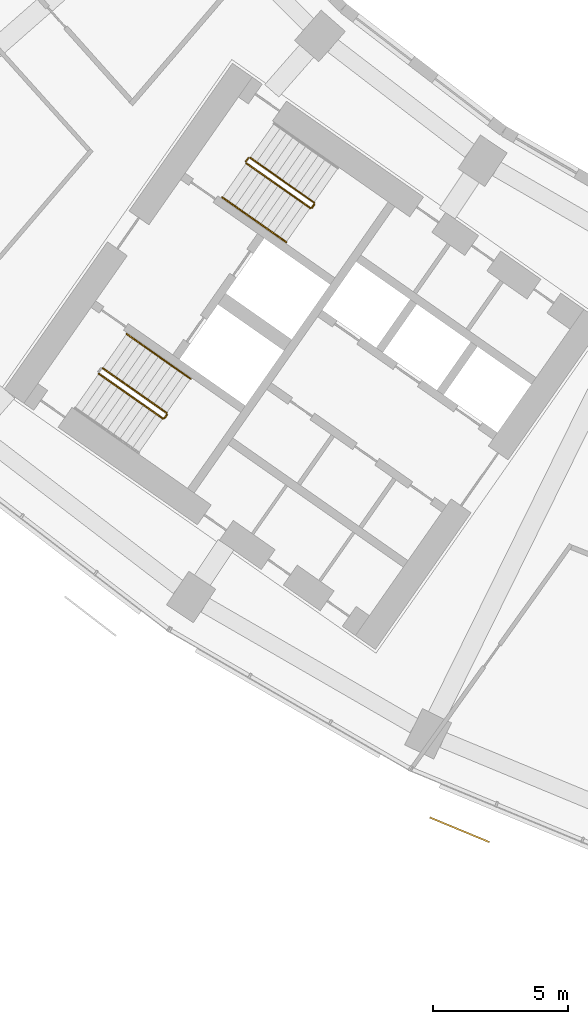
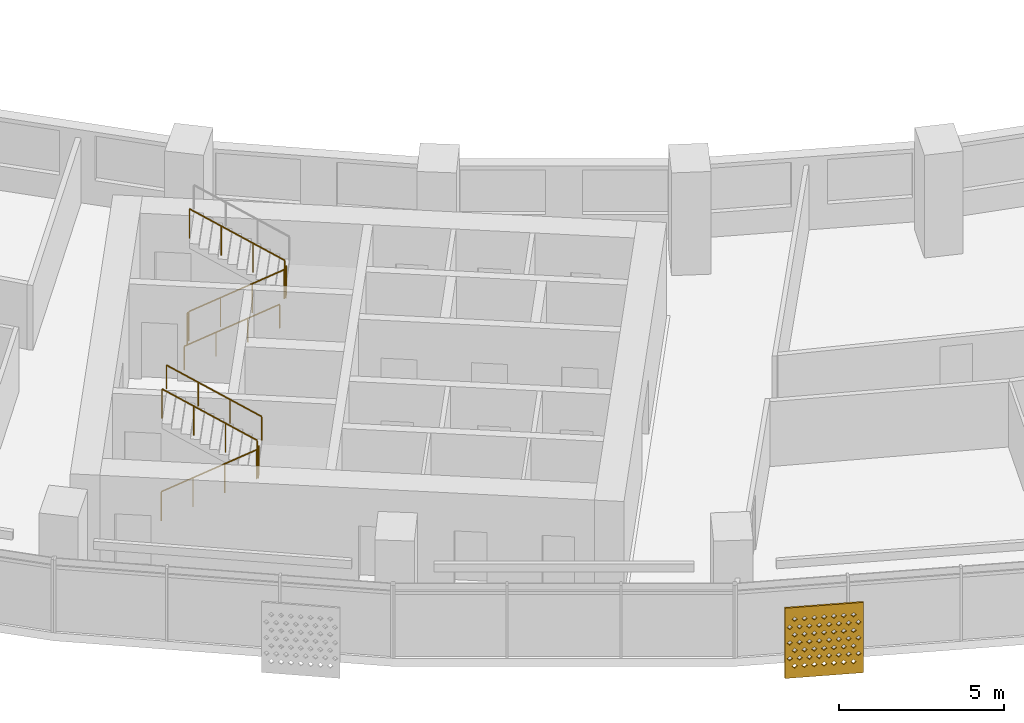
# One storey, part 25 of 29: 7 railings, 1 shading device.
"""IFC4 building model written with IfcOpenShell, lengths in metres."""

from ifc_helpers import new_model, si_unit, direction, frame, origin, origin_2d, place, context, subcontext, project, spatial, polyline, circle, outline, extrude, material, material_profile, profile_set, type_object, element, save


model = new_model("IFC4")

# Units and contexts
model_context = context("Model", 3, precision=1e-05, world=origin(), true_north=direction((0.0, 1.0)))
body_context = subcontext(model_context, "Body", "Model", "MODEL_VIEW")
ifc_project = project(units=[si_unit("LENGTHUNIT", "METRE"), si_unit("AREAUNIT", "SQUARE_METRE"), si_unit("VOLUMEUNIT", "CUBIC_METRE"), si_unit("PLANEANGLEUNIT", "RADIAN"), si_unit("MASSUNIT", "GRAM", prefix="KILO")], contexts=[model_context])

# Site, building, storey
site_placement = place(None, origin())
site = spatial("IfcSite", under=ifc_project, at=site_placement, CompositionType="ELEMENT")
building_placement = place(site_placement, origin())
building = spatial("IfcBuilding", under=site, at=building_placement, Name="Qamariyya Broadcast Tower", CompositionType="ELEMENT")
storey_placement = place(building_placement, frame((0.0, 0.0, 129.10009765625)))
storey = spatial("IfcBuildingStorey", under=building, at=storey_placement, Name="L29", CompositionType="ELEMENT", Elevation=129.10009765625)

# Shading device
ifc_material_1 = material(Name="Perforated glazed terracotta", Category="masonry")
ifc_material_profile = material_profile(ifc_material_1, outline(polyline([(-1.199951171875, -1.300048828125), (1.199951171875, -1.300048828125), (1.199951171875, 1.300048828125), (-1.199951171875, 1.300048828125), (-1.199951171875, -1.300048828125)]), holes=[polyline([(-0.81494140625, -0.86669921875), (-0.89990234375, -0.78173828125), (-0.985107421875, -0.86669921875), (-0.89990234375, -0.95166015625), (-0.81494140625, -0.86669921875)]), polyline([(-0.514892578125, -0.86669921875), (-0.60009765625, -0.78173828125), (-0.68505859375, -0.86669921875), (-0.60009765625, -0.95166015625), (-0.514892578125, -0.86669921875)]), polyline([(-0.215087890625, -0.86669921875), (-0.300048828125, -0.78173828125), (-0.385009765625, -0.86669921875), (-0.300048828125, -0.95166015625), (-0.215087890625, -0.86669921875)]), polyline([(0.0849609375, -0.86669921875), (0.0, -0.78173828125), (-0.0849609375, -0.86669921875), (0.0, -0.95166015625), (0.0849609375, -0.86669921875)]), polyline([(0.385009765625, -0.86669921875), (0.300048828125, -0.78173828125), (0.215087890625, -0.86669921875), (0.300048828125, -0.95166015625), (0.385009765625, -0.86669921875)]), polyline([(0.68505859375, -0.86669921875), (0.60009765625, -0.78173828125), (0.514892578125, -0.86669921875), (0.60009765625, -0.95166015625), (0.68505859375, -0.86669921875)]), polyline([(0.985107421875, -0.86669921875), (0.89990234375, -0.78173828125), (0.81494140625, -0.86669921875), (0.89990234375, -0.95166015625), (0.985107421875, -0.86669921875)]), polyline([(-0.965087890625, -0.577880859375), (-1.050048828125, -0.49267578125), (-1.135009765625, -0.577880859375), (-1.050048828125, -0.662841796875), (-0.965087890625, -0.577880859375)]), polyline([(-0.6650390625, -0.577880859375), (-0.75, -0.49267578125), (-0.8349609375, -0.577880859375), (-0.75, -0.662841796875), (-0.6650390625, -0.577880859375)]), polyline([(-0.364990234375, -0.577880859375), (-0.449951171875, -0.49267578125), (-0.534912109375, -0.577880859375), (-0.449951171875, -0.662841796875), (-0.364990234375, -0.577880859375)]), polyline([(-0.06494140625, -0.577880859375), (-0.14990234375, -0.49267578125), (-0.235107421875, -0.577880859375), (-0.14990234375, -0.662841796875), (-0.06494140625, -0.577880859375)]), polyline([(0.235107421875, -0.577880859375), (0.14990234375, -0.49267578125), (0.06494140625, -0.577880859375), (0.14990234375, -0.662841796875), (0.235107421875, -0.577880859375)]), polyline([(0.534912109375, -0.577880859375), (0.449951171875, -0.49267578125), (0.364990234375, -0.577880859375), (0.449951171875, -0.662841796875), (0.534912109375, -0.577880859375)]), polyline([(0.8349609375, -0.577880859375), (0.75, -0.49267578125), (0.6650390625, -0.577880859375), (0.75, -0.662841796875), (0.8349609375, -0.577880859375)]), polyline([(1.135009765625, -0.577880859375), (1.050048828125, -0.49267578125), (0.965087890625, -0.577880859375), (1.050048828125, -0.662841796875), (1.135009765625, -0.577880859375)]), polyline([(-0.81494140625, -0.288818359375), (-0.89990234375, -0.203857421875), (-0.985107421875, -0.288818359375), (-0.89990234375, -0.373779296875), (-0.81494140625, -0.288818359375)]), polyline([(-0.514892578125, -0.288818359375), (-0.60009765625, -0.203857421875), (-0.68505859375, -0.288818359375), (-0.60009765625, -0.373779296875), (-0.514892578125, -0.288818359375)]), polyline([(-0.215087890625, -0.288818359375), (-0.300048828125, -0.203857421875), (-0.385009765625, -0.288818359375), (-0.300048828125, -0.373779296875), (-0.215087890625, -0.288818359375)]), polyline([(0.0849609375, -0.288818359375), (0.0, -0.203857421875), (-0.0849609375, -0.288818359375), (0.0, -0.373779296875), (0.0849609375, -0.288818359375)]), polyline([(0.385009765625, -0.288818359375), (0.300048828125, -0.203857421875), (0.215087890625, -0.288818359375), (0.300048828125, -0.373779296875), (0.385009765625, -0.288818359375)]), polyline([(0.68505859375, -0.288818359375), (0.60009765625, -0.203857421875), (0.514892578125, -0.288818359375), (0.60009765625, -0.373779296875), (0.68505859375, -0.288818359375)]), polyline([(0.985107421875, -0.288818359375), (0.89990234375, -0.203857421875), (0.81494140625, -0.288818359375), (0.89990234375, -0.373779296875), (0.985107421875, -0.288818359375)]), polyline([(-0.965087890625, 0.0), (-1.050048828125, 0.0849609375), (-1.135009765625, 0.0), (-1.050048828125, -0.0849609375), (-0.965087890625, 0.0)]), polyline([(-0.6650390625, 0.0), (-0.75, 0.0849609375), (-0.8349609375, 0.0), (-0.75, -0.0849609375), (-0.6650390625, 0.0)]), polyline([(-0.364990234375, 0.0), (-0.449951171875, 0.0849609375), (-0.534912109375, 0.0), (-0.449951171875, -0.0849609375), (-0.364990234375, 0.0)]), polyline([(-0.06494140625, 0.0), (-0.14990234375, 0.0849609375), (-0.235107421875, 0.0), (-0.14990234375, -0.0849609375), (-0.06494140625, 0.0)]), polyline([(0.235107421875, 0.0), (0.14990234375, 0.0849609375), (0.06494140625, 0.0), (0.14990234375, -0.0849609375), (0.235107421875, 0.0)]), polyline([(0.534912109375, 0.0), (0.449951171875, 0.0849609375), (0.364990234375, 0.0), (0.449951171875, -0.0849609375), (0.534912109375, 0.0)]), polyline([(0.8349609375, 0.0), (0.75, 0.0849609375), (0.6650390625, 0.0), (0.75, -0.0849609375), (0.8349609375, 0.0)]), polyline([(1.135009765625, 0.0), (1.050048828125, 0.0849609375), (0.965087890625, 0.0), (1.050048828125, -0.0849609375), (1.135009765625, 0.0)]), polyline([(-0.81494140625, 0.288818359375), (-0.89990234375, 0.373779296875), (-0.985107421875, 0.288818359375), (-0.89990234375, 0.203857421875), (-0.81494140625, 0.288818359375)]), polyline([(-0.514892578125, 0.288818359375), (-0.60009765625, 0.373779296875), (-0.68505859375, 0.288818359375), (-0.60009765625, 0.203857421875), (-0.514892578125, 0.288818359375)]), polyline([(-0.215087890625, 0.288818359375), (-0.300048828125, 0.373779296875), (-0.385009765625, 0.288818359375), (-0.300048828125, 0.203857421875), (-0.215087890625, 0.288818359375)]), polyline([(0.0849609375, 0.288818359375), (0.0, 0.373779296875), (-0.0849609375, 0.288818359375), (0.0, 0.203857421875), (0.0849609375, 0.288818359375)]), polyline([(0.385009765625, 0.288818359375), (0.300048828125, 0.373779296875), (0.215087890625, 0.288818359375), (0.300048828125, 0.203857421875), (0.385009765625, 0.288818359375)]), polyline([(0.68505859375, 0.288818359375), (0.60009765625, 0.373779296875), (0.514892578125, 0.288818359375), (0.60009765625, 0.203857421875), (0.68505859375, 0.288818359375)]), polyline([(0.985107421875, 0.288818359375), (0.89990234375, 0.373779296875), (0.81494140625, 0.288818359375), (0.89990234375, 0.203857421875), (0.985107421875, 0.288818359375)]), polyline([(-0.965087890625, 0.577880859375), (-1.050048828125, 0.662841796875), (-1.135009765625, 0.577880859375), (-1.050048828125, 0.49267578125), (-0.965087890625, 0.577880859375)]), polyline([(-0.6650390625, 0.577880859375), (-0.75, 0.662841796875), (-0.8349609375, 0.577880859375), (-0.75, 0.49267578125), (-0.6650390625, 0.577880859375)]), polyline([(-0.364990234375, 0.577880859375), (-0.449951171875, 0.662841796875), (-0.534912109375, 0.577880859375), (-0.449951171875, 0.49267578125), (-0.364990234375, 0.577880859375)]), polyline([(-0.06494140625, 0.577880859375), (-0.14990234375, 0.662841796875), (-0.235107421875, 0.577880859375), (-0.14990234375, 0.49267578125), (-0.06494140625, 0.577880859375)]), polyline([(0.235107421875, 0.577880859375), (0.14990234375, 0.662841796875), (0.06494140625, 0.577880859375), (0.14990234375, 0.49267578125), (0.235107421875, 0.577880859375)]), polyline([(0.534912109375, 0.577880859375), (0.449951171875, 0.662841796875), (0.364990234375, 0.577880859375), (0.449951171875, 0.49267578125), (0.534912109375, 0.577880859375)]), polyline([(0.8349609375, 0.577880859375), (0.75, 0.662841796875), (0.6650390625, 0.577880859375), (0.75, 0.49267578125), (0.8349609375, 0.577880859375)]), polyline([(1.135009765625, 0.577880859375), (1.050048828125, 0.662841796875), (0.965087890625, 0.577880859375), (1.050048828125, 0.49267578125), (1.135009765625, 0.577880859375)]), polyline([(-0.81494140625, 0.86669921875), (-0.89990234375, 0.95166015625), (-0.985107421875, 0.86669921875), (-0.89990234375, 0.78173828125), (-0.81494140625, 0.86669921875)]), polyline([(-0.514892578125, 0.86669921875), (-0.60009765625, 0.95166015625), (-0.68505859375, 0.86669921875), (-0.60009765625, 0.78173828125), (-0.514892578125, 0.86669921875)]), polyline([(-0.215087890625, 0.86669921875), (-0.300048828125, 0.95166015625), (-0.385009765625, 0.86669921875), (-0.300048828125, 0.78173828125), (-0.215087890625, 0.86669921875)]), polyline([(0.0849609375, 0.86669921875), (0.0, 0.95166015625), (-0.0849609375, 0.86669921875), (0.0, 0.78173828125), (0.0849609375, 0.86669921875)]), polyline([(0.385009765625, 0.86669921875), (0.300048828125, 0.95166015625), (0.215087890625, 0.86669921875), (0.300048828125, 0.78173828125), (0.385009765625, 0.86669921875)]), polyline([(0.68505859375, 0.86669921875), (0.60009765625, 0.95166015625), (0.514892578125, 0.86669921875), (0.60009765625, 0.78173828125), (0.68505859375, 0.86669921875)]), polyline([(0.985107421875, 0.86669921875), (0.89990234375, 0.95166015625), (0.81494140625, 0.86669921875), (0.89990234375, 0.78173828125), (0.985107421875, 0.86669921875)])]))
ifc_profile_set = profile_set([ifc_material_profile], Name="Perforated glazed terracotta")
shading_device_type = type_object("IfcShadingDeviceType", Name="Perforated terracotta screen 2400 x 2600", PredefinedType="USERDEFINED", material=ifc_profile_set)
shading_device_placement = place(storey_placement, frame((-33.206787109375, -73.269775390625, 1.349853515625), z_axis=(-0.382591441855, -0.923917630863, 0.0), x_axis=(0.923917630863, -0.382591441855, 0.0)))
element("IfcShadingDevice", 1, at=shading_device_placement, inside=storey, type_object=shading_device_type, Name="e-scr-L29-06-0", ObjectType="SCREEN", PredefinedType="USERDEFINED", context=body_context, shape_type="SweptSolid", body=[
    extrude(outline(polyline([(-1.199951171875, -1.300048828125), (1.199951171875, -1.300048828125), (1.199951171875, 1.300048828125), (-1.199951171875, 1.300048828125), (-1.199951171875, -1.300048828125)]), holes=[polyline([(-0.81494140625, -0.86669921875), (-0.89990234375, -0.78173828125), (-0.985107421875, -0.86669921875), (-0.89990234375, -0.95166015625), (-0.81494140625, -0.86669921875)]), polyline([(-0.514892578125, -0.86669921875), (-0.60009765625, -0.78173828125), (-0.68505859375, -0.86669921875), (-0.60009765625, -0.95166015625), (-0.514892578125, -0.86669921875)]), polyline([(-0.215087890625, -0.86669921875), (-0.300048828125, -0.78173828125), (-0.385009765625, -0.86669921875), (-0.300048828125, -0.95166015625), (-0.215087890625, -0.86669921875)]), polyline([(0.0849609375, -0.86669921875), (0.0, -0.78173828125), (-0.0849609375, -0.86669921875), (0.0, -0.95166015625), (0.0849609375, -0.86669921875)]), polyline([(0.385009765625, -0.86669921875), (0.300048828125, -0.78173828125), (0.215087890625, -0.86669921875), (0.300048828125, -0.95166015625), (0.385009765625, -0.86669921875)]), polyline([(0.68505859375, -0.86669921875), (0.60009765625, -0.78173828125), (0.514892578125, -0.86669921875), (0.60009765625, -0.95166015625), (0.68505859375, -0.86669921875)]), polyline([(0.985107421875, -0.86669921875), (0.89990234375, -0.78173828125), (0.81494140625, -0.86669921875), (0.89990234375, -0.95166015625), (0.985107421875, -0.86669921875)]), polyline([(-0.965087890625, -0.577880859375), (-1.050048828125, -0.49267578125), (-1.135009765625, -0.577880859375), (-1.050048828125, -0.662841796875), (-0.965087890625, -0.577880859375)]), polyline([(-0.6650390625, -0.577880859375), (-0.75, -0.49267578125), (-0.8349609375, -0.577880859375), (-0.75, -0.662841796875), (-0.6650390625, -0.577880859375)]), polyline([(-0.364990234375, -0.577880859375), (-0.449951171875, -0.49267578125), (-0.534912109375, -0.577880859375), (-0.449951171875, -0.662841796875), (-0.364990234375, -0.577880859375)]), polyline([(-0.06494140625, -0.577880859375), (-0.14990234375, -0.49267578125), (-0.235107421875, -0.577880859375), (-0.14990234375, -0.662841796875), (-0.06494140625, -0.577880859375)]), polyline([(0.235107421875, -0.577880859375), (0.14990234375, -0.49267578125), (0.06494140625, -0.577880859375), (0.14990234375, -0.662841796875), (0.235107421875, -0.577880859375)]), polyline([(0.534912109375, -0.577880859375), (0.449951171875, -0.49267578125), (0.364990234375, -0.577880859375), (0.449951171875, -0.662841796875), (0.534912109375, -0.577880859375)]), polyline([(0.8349609375, -0.577880859375), (0.75, -0.49267578125), (0.6650390625, -0.577880859375), (0.75, -0.662841796875), (0.8349609375, -0.577880859375)]), polyline([(1.135009765625, -0.577880859375), (1.050048828125, -0.49267578125), (0.965087890625, -0.577880859375), (1.050048828125, -0.662841796875), (1.135009765625, -0.577880859375)]), polyline([(-0.81494140625, -0.288818359375), (-0.89990234375, -0.203857421875), (-0.985107421875, -0.288818359375), (-0.89990234375, -0.373779296875), (-0.81494140625, -0.288818359375)]), polyline([(-0.514892578125, -0.288818359375), (-0.60009765625, -0.203857421875), (-0.68505859375, -0.288818359375), (-0.60009765625, -0.373779296875), (-0.514892578125, -0.288818359375)]), polyline([(-0.215087890625, -0.288818359375), (-0.300048828125, -0.203857421875), (-0.385009765625, -0.288818359375), (-0.300048828125, -0.373779296875), (-0.215087890625, -0.288818359375)]), polyline([(0.0849609375, -0.288818359375), (0.0, -0.203857421875), (-0.0849609375, -0.288818359375), (0.0, -0.373779296875), (0.0849609375, -0.288818359375)]), polyline([(0.385009765625, -0.288818359375), (0.300048828125, -0.203857421875), (0.215087890625, -0.288818359375), (0.300048828125, -0.373779296875), (0.385009765625, -0.288818359375)]), polyline([(0.68505859375, -0.288818359375), (0.60009765625, -0.203857421875), (0.514892578125, -0.288818359375), (0.60009765625, -0.373779296875), (0.68505859375, -0.288818359375)]), polyline([(0.985107421875, -0.288818359375), (0.89990234375, -0.203857421875), (0.81494140625, -0.288818359375), (0.89990234375, -0.373779296875), (0.985107421875, -0.288818359375)]), polyline([(-0.965087890625, 0.0), (-1.050048828125, 0.0849609375), (-1.135009765625, 0.0), (-1.050048828125, -0.0849609375), (-0.965087890625, 0.0)]), polyline([(-0.6650390625, 0.0), (-0.75, 0.0849609375), (-0.8349609375, 0.0), (-0.75, -0.0849609375), (-0.6650390625, 0.0)]), polyline([(-0.364990234375, 0.0), (-0.449951171875, 0.0849609375), (-0.534912109375, 0.0), (-0.449951171875, -0.0849609375), (-0.364990234375, 0.0)]), polyline([(-0.06494140625, 0.0), (-0.14990234375, 0.0849609375), (-0.235107421875, 0.0), (-0.14990234375, -0.0849609375), (-0.06494140625, 0.0)]), polyline([(0.235107421875, 0.0), (0.14990234375, 0.0849609375), (0.06494140625, 0.0), (0.14990234375, -0.0849609375), (0.235107421875, 0.0)]), polyline([(0.534912109375, 0.0), (0.449951171875, 0.0849609375), (0.364990234375, 0.0), (0.449951171875, -0.0849609375), (0.534912109375, 0.0)]), polyline([(0.8349609375, 0.0), (0.75, 0.0849609375), (0.6650390625, 0.0), (0.75, -0.0849609375), (0.8349609375, 0.0)]), polyline([(1.135009765625, 0.0), (1.050048828125, 0.0849609375), (0.965087890625, 0.0), (1.050048828125, -0.0849609375), (1.135009765625, 0.0)]), polyline([(-0.81494140625, 0.288818359375), (-0.89990234375, 0.373779296875), (-0.985107421875, 0.288818359375), (-0.89990234375, 0.203857421875), (-0.81494140625, 0.288818359375)]), polyline([(-0.514892578125, 0.288818359375), (-0.60009765625, 0.373779296875), (-0.68505859375, 0.288818359375), (-0.60009765625, 0.203857421875), (-0.514892578125, 0.288818359375)]), polyline([(-0.215087890625, 0.288818359375), (-0.300048828125, 0.373779296875), (-0.385009765625, 0.288818359375), (-0.300048828125, 0.203857421875), (-0.215087890625, 0.288818359375)]), polyline([(0.0849609375, 0.288818359375), (0.0, 0.373779296875), (-0.0849609375, 0.288818359375), (0.0, 0.203857421875), (0.0849609375, 0.288818359375)]), polyline([(0.385009765625, 0.288818359375), (0.300048828125, 0.373779296875), (0.215087890625, 0.288818359375), (0.300048828125, 0.203857421875), (0.385009765625, 0.288818359375)]), polyline([(0.68505859375, 0.288818359375), (0.60009765625, 0.373779296875), (0.514892578125, 0.288818359375), (0.60009765625, 0.203857421875), (0.68505859375, 0.288818359375)]), polyline([(0.985107421875, 0.288818359375), (0.89990234375, 0.373779296875), (0.81494140625, 0.288818359375), (0.89990234375, 0.203857421875), (0.985107421875, 0.288818359375)]), polyline([(-0.965087890625, 0.577880859375), (-1.050048828125, 0.662841796875), (-1.135009765625, 0.577880859375), (-1.050048828125, 0.49267578125), (-0.965087890625, 0.577880859375)]), polyline([(-0.6650390625, 0.577880859375), (-0.75, 0.662841796875), (-0.8349609375, 0.577880859375), (-0.75, 0.49267578125), (-0.6650390625, 0.577880859375)]), polyline([(-0.364990234375, 0.577880859375), (-0.449951171875, 0.662841796875), (-0.534912109375, 0.577880859375), (-0.449951171875, 0.49267578125), (-0.364990234375, 0.577880859375)]), polyline([(-0.06494140625, 0.577880859375), (-0.14990234375, 0.662841796875), (-0.235107421875, 0.577880859375), (-0.14990234375, 0.49267578125), (-0.06494140625, 0.577880859375)]), polyline([(0.235107421875, 0.577880859375), (0.14990234375, 0.662841796875), (0.06494140625, 0.577880859375), (0.14990234375, 0.49267578125), (0.235107421875, 0.577880859375)]), polyline([(0.534912109375, 0.577880859375), (0.449951171875, 0.662841796875), (0.364990234375, 0.577880859375), (0.449951171875, 0.49267578125), (0.534912109375, 0.577880859375)]), polyline([(0.8349609375, 0.577880859375), (0.75, 0.662841796875), (0.6650390625, 0.577880859375), (0.75, 0.49267578125), (0.8349609375, 0.577880859375)]), polyline([(1.135009765625, 0.577880859375), (1.050048828125, 0.662841796875), (0.965087890625, 0.577880859375), (1.050048828125, 0.49267578125), (1.135009765625, 0.577880859375)]), polyline([(-0.81494140625, 0.86669921875), (-0.89990234375, 0.95166015625), (-0.985107421875, 0.86669921875), (-0.89990234375, 0.78173828125), (-0.81494140625, 0.86669921875)]), polyline([(-0.514892578125, 0.86669921875), (-0.60009765625, 0.95166015625), (-0.68505859375, 0.86669921875), (-0.60009765625, 0.78173828125), (-0.514892578125, 0.86669921875)]), polyline([(-0.215087890625, 0.86669921875), (-0.300048828125, 0.95166015625), (-0.385009765625, 0.86669921875), (-0.300048828125, 0.78173828125), (-0.215087890625, 0.86669921875)]), polyline([(0.0849609375, 0.86669921875), (0.0, 0.95166015625), (-0.0849609375, 0.86669921875), (0.0, 0.78173828125), (0.0849609375, 0.86669921875)]), polyline([(0.385009765625, 0.86669921875), (0.300048828125, 0.95166015625), (0.215087890625, 0.86669921875), (0.300048828125, 0.78173828125), (0.385009765625, 0.86669921875)]), polyline([(0.68505859375, 0.86669921875), (0.60009765625, 0.95166015625), (0.514892578125, 0.86669921875), (0.60009765625, 0.78173828125), (0.68505859375, 0.86669921875)]), polyline([(0.985107421875, 0.86669921875), (0.89990234375, 0.95166015625), (0.81494140625, 0.86669921875), (0.89990234375, 0.78173828125), (0.985107421875, 0.86669921875)])]), origin(), (0.0, 0.0, 1.0), 0.06005859375),
])

# Railings
ifc_material_2 = material(Name="Painted steel", Category="steel")
railing_type_1 = type_object("IfcRailingType", Name="Stair guard", PredefinedType="GUARDRAIL", material=ifc_material_2)
railing_1_placement = place(storey_placement, frame((-41.146728515625, -48.52490234375, 0.172607421875)))
element("IfcRailing", 2, at=railing_1_placement, inside=storey, type_object=railing_type_1, Name="L29 ST-W2 stair guard 1", PredefinedType="GUARDRAIL", context=body_context, shape_type="SweptSolid", body=[
    extrude(circle(Radius=0.02392578125, at=origin_2d()), frame((0.0, 0.0, 1.076171875), z_axis=(0.703770094002, -0.492783725636, 0.511734163933), x_axis=(0.573575343427, 0.819152809562, 0.0)), (0.0, 0.0, 1.0), 3.37548828125),
    extrude(circle(Radius=0.02392578125, at=origin_2d()), frame((2.37548828125, -1.663330078125, 2.80322265625), z_axis=(0.985059694769, 0.172213233351, 0.0), x_axis=(-0.172213233351, 0.985059694769, 0.0)), (0.0, 0.0, 1.0), 0.07080078125),
    extrude(circle(Radius=0.02392578125, at=origin_2d()), frame((2.4453125, -1.651123046875, 2.80322265625), z_axis=(0.572588637393, 0.819842821722, 0.0), x_axis=(-0.819842821722, 0.572588637393, 0.0)), (0.0, 0.0, 1.0), 0.150146484375),
    extrude(circle(Radius=0.02099609375, at=origin_2d()), origin(), (0.0, 0.0, 1.0), 1.052001953125),
    extrude(circle(Radius=0.02099609375, at=origin_2d()), frame((0.791748046875, -0.554443359375, 0.57568359375)), (0.0, 0.0, 1.0), 1.052001953125),
    extrude(circle(Radius=0.02099609375, at=origin_2d()), frame((1.583740234375, -1.10888671875, 1.151611328125)), (0.0, 0.0, 1.0), 1.052001953125),
    extrude(circle(Radius=0.02099609375, at=origin_2d()), frame((2.37548828125, -1.663330078125, 1.727294921875)), (0.0, 0.0, 1.0), 1.052001953125),
    extrude(circle(Radius=0.02099609375, at=origin_2d()), frame((2.4453125, -1.651123046875, 1.727294921875)), (0.0, 0.0, 1.0), 1.052001953125),
    extrude(circle(Radius=0.02099609375, at=origin_2d()), frame((2.53125, -1.528076171875, 1.727294921875)), (0.0, 0.0, 1.0), 1.052001953125),
])
railing_2_placement = place(storey_placement, frame((-38.627685546875, -49.9833984375, 2.072509765625)))
element("IfcRailing", 3, at=railing_2_placement, inside=storey, type_object=railing_type_1, Name="L29 ST-W2 stair guard 2", PredefinedType="GUARDRAIL", context=body_context, shape_type="SweptSolid", body=[
    extrude(circle(Radius=0.02392578125, at=origin_2d()), frame((0.0, 0.0, 1.076171875), z_axis=(-0.703770094002, 0.492783725636, 0.511734163933), x_axis=(-0.573575343427, -0.819152809562, 0.0)), (0.0, 0.0, 1.0), 3.37548828125),
    extrude(circle(Radius=0.02099609375, at=origin_2d()), origin(), (0.0, 0.0, 1.0), 1.052001953125),
    extrude(circle(Radius=0.02099609375, at=origin_2d()), frame((-0.791748046875, 0.554443359375, 0.57568359375)), (0.0, 0.0, 1.0), 1.052001953125),
    extrude(circle(Radius=0.02099609375, at=origin_2d()), frame((-1.583740234375, 1.10888671875, 1.151611328125)), (0.0, 0.0, 1.0), 1.052001953125),
    extrude(circle(Radius=0.02099609375, at=origin_2d()), frame((-2.37548828125, 1.663330078125, 1.727294921875)), (0.0, 0.0, 1.0), 1.052001953125),
])
railing_3_placement = place(storey_placement, frame((-41.158935546875, -48.455322265625, 0.0)))
element("IfcRailing", 4, at=railing_3_placement, inside=storey, type_object=railing_type_1, Name="L29 ST-W2 stair guard 3", PredefinedType="GUARDRAIL", context=body_context, shape_type="SweptSolid", body=[
    extrude(circle(Radius=0.02392578125, at=origin_2d()), frame((0.0, 0.0, 1.076171875), z_axis=(0.572588637393, 0.819842821722, 0.0), x_axis=(-0.819842821722, 0.572588637393, 0.0)), (0.0, 0.0, 1.0), 0.150146484375),
    extrude(circle(Radius=0.02099609375, at=origin_2d()), origin(), (0.0, 0.0, 1.0), 1.052001953125),
    extrude(circle(Radius=0.02099609375, at=origin_2d()), frame((0.0859375, 0.123046875, 0.0)), (0.0, 0.0, 1.0), 1.052001953125),
])
railing_4_placement = place(storey_placement, frame((-46.624267578125, -56.34765625, 0.172607421875)))
element("IfcRailing", 5, at=railing_4_placement, inside=storey, type_object=railing_type_1, Name="L29 ST-W1 stair guard 1", PredefinedType="GUARDRAIL", context=body_context, shape_type="SweptSolid", body=[
    extrude(circle(Radius=0.02392578125, at=origin_2d()), frame((0.0, 0.0, 1.076171875), z_axis=(0.703745009021, -0.492838488332, 0.511715923826), x_axis=(0.573631830683, 0.819113253969, 0.0)), (0.0, 0.0, 1.0), 3.37548828125),
    extrude(circle(Radius=0.02392578125, at=origin_2d()), frame((2.37548828125, -1.66357421875, 2.80322265625), z_axis=(0.984363469884, 0.176149252506, 0.0), x_axis=(-0.176149252506, 0.984363469884, 0.0)), (0.0, 0.0, 1.0), 0.07080078125),
    extrude(circle(Radius=0.02392578125, at=origin_2d()), frame((2.445068359375, -1.651123046875, 2.80322265625), z_axis=(0.574444878118, 0.818543268254, 0.0), x_axis=(-0.818543268254, 0.574444878118, 0.0)), (0.0, 0.0, 1.0), 0.150146484375),
    extrude(circle(Radius=0.02099609375, at=origin_2d()), origin(), (0.0, 0.0, 1.0), 1.052001953125),
    extrude(circle(Radius=0.02099609375, at=origin_2d()), frame((0.791748046875, -0.554443359375, 0.57568359375)), (0.0, 0.0, 1.0), 1.052001953125),
    extrude(circle(Radius=0.02099609375, at=origin_2d()), frame((1.583740234375, -1.109130859375, 1.151611328125)), (0.0, 0.0, 1.0), 1.052001953125),
    extrude(circle(Radius=0.02099609375, at=origin_2d()), frame((2.37548828125, -1.66357421875, 1.727294921875)), (0.0, 0.0, 1.0), 1.052001953125),
    extrude(circle(Radius=0.02099609375, at=origin_2d()), frame((2.445068359375, -1.651123046875, 1.727294921875)), (0.0, 0.0, 1.0), 1.052001953125),
    extrude(circle(Radius=0.02099609375, at=origin_2d()), frame((2.53125, -1.5283203125, 1.727294921875)), (0.0, 0.0, 1.0), 1.052001953125),
])
railing_5_placement = place(storey_placement, frame((-44.10546875, -57.806396484375, 2.072509765625)))
element("IfcRailing", 6, at=railing_5_placement, inside=storey, type_object=railing_type_1, Name="L29 ST-W1 stair guard 2", PredefinedType="GUARDRAIL", context=body_context, shape_type="SweptSolid", body=[
    extrude(circle(Radius=0.02392578125, at=origin_2d()), frame((0.0, 0.0, 1.076171875), z_axis=(-0.703770094002, 0.492783725636, 0.511734163933), x_axis=(-0.573575343427, -0.819152809562, 0.0)), (0.0, 0.0, 1.0), 3.37548828125),
    extrude(circle(Radius=0.02099609375, at=origin_2d()), origin(), (0.0, 0.0, 1.0), 1.052001953125),
    extrude(circle(Radius=0.02099609375, at=origin_2d()), frame((-0.791748046875, 0.554443359375, 0.57568359375)), (0.0, 0.0, 1.0), 1.052001953125),
    extrude(circle(Radius=0.02099609375, at=origin_2d()), frame((-1.583740234375, 1.10888671875, 1.151611328125)), (0.0, 0.0, 1.0), 1.052001953125),
    extrude(circle(Radius=0.02099609375, at=origin_2d()), frame((-2.37548828125, 1.663330078125, 1.727294921875)), (0.0, 0.0, 1.0), 1.052001953125),
])
ifc_material_3 = material(Name="Stainless steel", Category="steel")
railing_type_2 = type_object("IfcRailingType", Name="Stair handrail", PredefinedType="HANDRAIL", material=ifc_material_3)
railing_6_placement = place(storey_placement, frame((-42.03564453125, -49.79443359375, 0.172607421875)))
element("IfcRailing", 7, at=railing_6_placement, inside=storey, type_object=railing_type_2, Name="L29 ST-W2 stair handrail 1", PredefinedType="HANDRAIL", context=body_context, shape_type="SweptSolid", body=[
    extrude(circle(Radius=0.02392578125, at=origin_2d()), frame((0.0, 0.0, 0.8759765625), z_axis=(0.703745009021, -0.492838488332, 0.511715923826), x_axis=(0.573631830683, 0.819113253969, 0.0)), (0.0, 0.0, 1.0), 3.37548828125),
    extrude(circle(Radius=0.02099609375, at=origin_2d()), origin(), (0.0, 0.0, 1.0), 0.851806640625),
    extrude(circle(Radius=0.02099609375, at=origin_2d()), frame((0.791748046875, -0.554443359375, 0.57568359375)), (0.0, 0.0, 1.0), 0.851806640625),
    extrude(circle(Radius=0.02099609375, at=origin_2d()), frame((1.583740234375, -1.109130859375, 1.151611328125)), (0.0, 0.0, 1.0), 0.851806640625),
    extrude(circle(Radius=0.02099609375, at=origin_2d()), frame((2.37548828125, -1.66357421875, 1.727294921875)), (0.0, 0.0, 1.0), 0.851806640625),
])
railing_7_placement = place(storey_placement, frame((-43.21630859375, -56.53662109375, 2.072509765625)))
element("IfcRailing", 8, at=railing_7_placement, inside=storey, type_object=railing_type_2, Name="L29 ST-W1 stair handrail 2", PredefinedType="HANDRAIL", context=body_context, shape_type="SweptSolid", body=[
    extrude(circle(Radius=0.02392578125, at=origin_2d()), frame((0.0, 0.0, 0.8759765625), z_axis=(-0.703770094002, 0.492783725636, 0.511734163933), x_axis=(-0.573575343427, -0.819152809562, 0.0)), (0.0, 0.0, 1.0), 3.37548828125),
    extrude(circle(Radius=0.02099609375, at=origin_2d()), origin(), (0.0, 0.0, 1.0), 0.851806640625),
    extrude(circle(Radius=0.02099609375, at=origin_2d()), frame((-0.791748046875, 0.554443359375, 0.57568359375)), (0.0, 0.0, 1.0), 0.851806640625),
    extrude(circle(Radius=0.02099609375, at=origin_2d()), frame((-1.583740234375, 1.10888671875, 1.151611328125)), (0.0, 0.0, 1.0), 0.851806640625),
    extrude(circle(Radius=0.02099609375, at=origin_2d()), frame((-2.37548828125, 1.663330078125, 1.727294921875)), (0.0, 0.0, 1.0), 0.851806640625),
])

save(model, "model.ifc")
